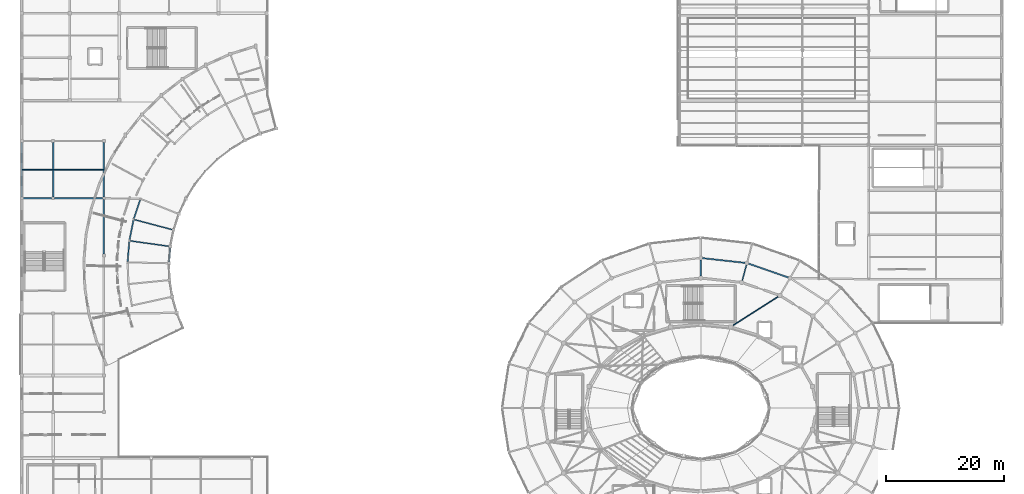
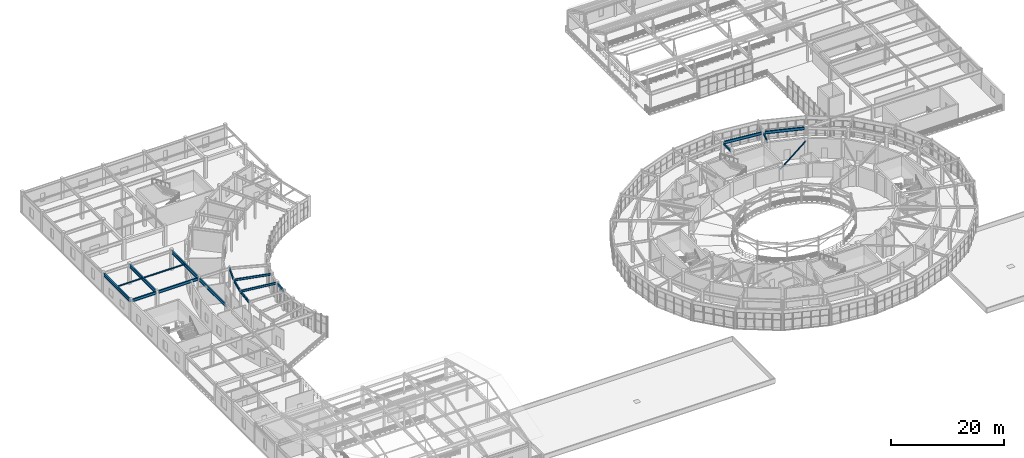
# One storey, part 47 of 112: 18 beams, 1 member.
"""IFC4 building model written with IfcOpenShell, lengths in metres."""

from ifc_helpers import new_model, si_unit, direction, frame, origin, origin_2d, place, context, subcontext, project, spatial, rectangle, hollow_rectangle, i_section, extrude, material, material_profile, profile_set, type_object, element, save


model = new_model("IFC4")

# Units and contexts
model_context = context("Model", 3, precision=1e-05, world=origin(), true_north=direction((0.0, 1.0)))
body_context = subcontext(model_context, "Body", "Model", "MODEL_VIEW")
ifc_project = project(units=[si_unit("LENGTHUNIT", "METRE"), si_unit("AREAUNIT", "SQUARE_METRE"), si_unit("VOLUMEUNIT", "CUBIC_METRE"), si_unit("PLANEANGLEUNIT", "RADIAN"), si_unit("MASSUNIT", "GRAM", prefix="KILO")], contexts=[model_context])

# Site, building, storey
site_placement = place(None, origin())
site = spatial("IfcSite", under=ifc_project, at=site_placement, CompositionType="ELEMENT")
building_placement = place(site_placement, origin())
building = spatial("IfcBuilding", under=site, at=building_placement, Name="Cinderbank Siding Concert Hall", CompositionType="ELEMENT")
storey_placement = place(building_placement, frame((0.0, 0.0, 10.199951171875)))
storey = spatial("IfcBuildingStorey", under=building, at=storey_placement, Name="L03", CompositionType="ELEMENT", Elevation=10.199951171875)

# Beams
ifc_material_1 = material(Name="Structural steel AS/NZS 3679.1 Grade 350 (340 MPa)", Category="steel")
ifc_material_profile_1 = material_profile(ifc_material_1, i_section(OverallWidth=0.18994140625, OverallDepth=0.45751953125, WebThickness=0.009033203125, FlangeThickness=0.014404296875, at=origin_2d()), Name="460UB74.6", Category="LoadBearing")
ifc_profile_set_1 = profile_set([ifc_material_profile_1], Name="Structural steel AS/NZS 3679.1 Grade 350 (340 MPa)")
beam_type_1 = type_object("IfcBeamType", Name="BM-UB460 460UB74.6", PredefinedType="BEAM", material=ifc_profile_set_1)
for number, where, z_axis, x_axis, name in (
    (1, (32.5380859375, 74.198974609375, 4.013427734375), (-0.966824920917, 0.255439958295, 0.0), (-0.255439958295, -0.966824920917, 0.0), "L03 Beam BM-UB460 #1008"),
    (2, (31.96923828125, 71.37744140625, 4.013427734375), (-0.990272481241, 0.139141700783, 0.0), (-0.139141700783, -0.990272481241, 0.0), "L03 Beam BM-UB460 #1011"),
):
    element("IfcBeam", number, at=place(storey_placement, frame(where, z_axis=z_axis, x_axis=x_axis)), inside=storey, type_object=beam_type_1, Name=name, PredefinedType="BEAM", context=body_context, shape_type="SweptSolid", body=[
        extrude(i_section(OverallWidth=0.18994140625, OverallDepth=0.45751953125, WebThickness=0.009033203125, FlangeThickness=0.014404296875, at=origin_2d()), origin(), (0.0, 0.0, 1.0), 6.613037109375),
    ])
ifc_material_profile_2 = material_profile(ifc_material_1, i_section(OverallWidth=0.19091796875, OverallDepth=0.46044921875, WebThickness=0.010009765625, FlangeThickness=0.01611328125, at=origin_2d()), Name="460UB82.1", Category="LoadBearing")
ifc_profile_set_2 = profile_set([ifc_material_profile_2], Name="Structural steel AS/NZS 3679.1 Grade 350 (340 MPa)")
beam_type_2 = type_object("IfcBeamType", Name="BM-UB460H 460UB82.1", PredefinedType="BEAM", material=ifc_profile_set_2)
beam_1_placement = place(storey_placement, frame((129.031494140625, 65.60498046875, 4.011962890625), z_axis=(0.258809477387, 0.9659283899, 0.0), x_axis=(-0.9659283899, 0.258809477387, 0.0)))
element("IfcBeam", 3, at=beam_1_placement, inside=storey, type_object=beam_type_2, Name="L03 Beam BM-UB460H #610", PredefinedType="BEAM", context=body_context, shape_type="SweptSolid", body=[
    extrude(i_section(OverallWidth=0.19091796875, OverallDepth=0.46044921875, WebThickness=0.010009765625, FlangeThickness=0.01611328125, at=origin_2d()), origin(), (0.0, 0.0, 1.0), 2.7158203125),
])
beam_2_placement = place(storey_placement, frame((122.0, 66.366943359375, 4.011962890625), z_axis=(0.0, 1.0, 0.0), x_axis=(-1.0, 0.0, 0.0)))
element("IfcBeam", 4, at=beam_2_placement, inside=storey, type_object=beam_type_2, Name="L03 Beam BM-UB460H #611", PredefinedType="BEAM", context=body_context, shape_type="SweptSolid", body=[
    extrude(i_section(OverallWidth=0.19091796875, OverallDepth=0.46044921875, WebThickness=0.010009765625, FlangeThickness=0.01611328125, at=origin_2d()), origin(), (0.0, 0.0, 1.0), 2.716064453125),
])
ifc_material_profile_3 = material_profile(ifc_material_1, i_section(OverallWidth=0.208984375, OverallDepth=0.5283203125, WebThickness=0.009521484375, FlangeThickness=0.01318359375, at=origin_2d()), Name="530UB82.0", Category="LoadBearing")
ifc_profile_set_3 = profile_set([ifc_material_profile_3], Name="Structural steel AS/NZS 3679.1 Grade 350 (340 MPa)")
beam_type_3 = type_object("IfcBeamType", Name="BM-UB530 530UB82.0", PredefinedType="BEAM", material=ifc_profile_set_3)
beam_3_placement = place(storey_placement, frame((27.139404296875, 79.2978515625, 3.97802734375), z_axis=(-0.312325465538, -0.949975159452, 0.0), x_axis=(0.949975159452, -0.312325465538, 0.0)))
element("IfcBeam", 5, at=beam_3_placement, inside=storey, type_object=beam_type_3, Name="L03 Beam BM-UB530 #1007", PredefinedType="BEAM", context=body_context, shape_type="SweptSolid", body=[
    extrude(i_section(OverallWidth=0.208984375, OverallDepth=0.5283203125, WebThickness=0.009521484375, FlangeThickness=0.01318359375, at=origin_2d()), origin(), (0.0, 0.0, 1.0), 3.43701171875),
])
beam_4_placement = place(storey_placement, frame((26.0048828125, 75.80126953125, 3.97802734375), z_axis=(-0.197673056969, -0.98026800547, 0.0), x_axis=(0.98026800547, -0.197673056969, 0.0)))
element("IfcBeam", 6, at=beam_4_placement, inside=storey, type_object=beam_type_3, Name="L03 Beam BM-UB530 #1010", PredefinedType="BEAM", context=body_context, shape_type="SweptSolid", body=[
    extrude(i_section(OverallWidth=0.208984375, OverallDepth=0.5283203125, WebThickness=0.009521484375, FlangeThickness=0.01318359375, at=origin_2d()), origin(), (0.0, 0.0, 1.0), 3.437255859375),
])
beam_5_placement = place(storey_placement, frame((25.2919921875, 72.19482421875, 3.97802734375), z_axis=(-0.080194099058, -0.996779266677, 0.0), x_axis=(0.996779266677, -0.080194099058, 0.0)))
element("IfcBeam", 7, at=beam_5_placement, inside=storey, type_object=beam_type_3, Name="L03 Beam BM-UB530 #1013", PredefinedType="BEAM", context=body_context, shape_type="SweptSolid", body=[
    extrude(i_section(OverallWidth=0.208984375, OverallDepth=0.5283203125, WebThickness=0.009521484375, FlangeThickness=0.01318359375, at=origin_2d()), origin(), (0.0, 0.0, 1.0), 3.43701171875),
])
ifc_material_profile_4 = material_profile(ifc_material_1, i_section(OverallWidth=0.22802734375, OverallDepth=0.602294921875, WebThickness=0.010498046875, FlangeThickness=0.014892578125, at=origin_2d()), Name="610UB101", Category="LoadBearing")
ifc_profile_set_4 = profile_set([ifc_material_profile_4], Name="Structural steel AS/NZS 3679.1 Grade 350 (340 MPa)")
beam_type_4 = type_object("IfcBeamType", Name="BM-UB610 610UB101", PredefinedType="BEAM", material=ifc_profile_set_4)
beam_6_placement = place(storey_placement, frame((7.342041015625, 79.5, 3.9609375), z_axis=(1.0, 0.0, 0.0), x_axis=(0.0, 1.0, 0.0)))
element("IfcBeam", 8, at=beam_6_placement, inside=storey, type_object=beam_type_4, Name="L03 Beam BM-UB610 #1806", PredefinedType="BEAM", context=body_context, shape_type="SweptSolid", body=[
    extrude(i_section(OverallWidth=0.22802734375, OverallDepth=0.602294921875, WebThickness=0.010498046875, FlangeThickness=0.014892578125, at=origin_2d()), origin(), (0.0, 0.0, 1.0), 4.81591796875),
])
beam_7_placement = place(storey_placement, frame((12.64208984375, 79.5, 3.94091796875), z_axis=(1.0, 0.0, 0.0), x_axis=(0.0, 1.0, 0.0)))
element("IfcBeam", 9, at=beam_7_placement, inside=storey, type_object=beam_type_4, Name="L03 Beam BM-UB610 #1815", PredefinedType="BEAM", context=body_context, shape_type="SweptSolid", body=[
    extrude(i_section(OverallWidth=0.22802734375, OverallDepth=0.602294921875, WebThickness=0.010498046875, FlangeThickness=0.014892578125, at=origin_2d()), origin(), (0.0, 0.0, 1.0), 8.115966796875),
])
ifc_material_profile_5 = material_profile(ifc_material_1, i_section(OverallWidth=0.22802734375, OverallDepth=0.60693359375, WebThickness=0.01123046875, FlangeThickness=0.017333984375, at=origin_2d()), Name="610UB113", Category="LoadBearing")
ifc_profile_set_5 = profile_set([ifc_material_profile_5], Name="Structural steel AS/NZS 3679.1 Grade 350 (340 MPa)")
beam_type_5 = type_object("IfcBeamType", Name="BM-UB610M 610UB113", PredefinedType="BEAM", material=ifc_profile_set_5)
beam_8_placement = place(storey_placement, frame((136.800537109375, 66.101318359375, 3.9384765625), z_axis=(-0.944334299593, 0.328987432301, 0.0), x_axis=(-0.328987432301, -0.944334299593, 0.0)))
element("IfcBeam", 10, at=beam_8_placement, inside=storey, type_object=beam_type_5, Name="L03 Beam BM-UB610M #549", PredefinedType="BEAM", context=body_context, shape_type="SweptSolid", body=[
    extrude(i_section(OverallWidth=0.22802734375, OverallDepth=0.60693359375, WebThickness=0.01123046875, FlangeThickness=0.017333984375, at=origin_2d()), origin(), (0.0, 0.0, 1.0), 7.078857421875),
])
beam_9_placement = place(storey_placement, frame((129.501220703125, 68.5693359375, 3.9384765625), z_axis=(-0.993926077211, 0.110049775281, 0.0), x_axis=(-0.110049775281, -0.993926077211, 0.0)))
element("IfcBeam", 11, at=beam_9_placement, inside=storey, type_object=beam_type_5, Name="L03 Beam BM-UB610M #550", PredefinedType="BEAM", context=body_context, shape_type="SweptSolid", body=[
    extrude(i_section(OverallWidth=0.22802734375, OverallDepth=0.60693359375, WebThickness=0.01123046875, FlangeThickness=0.017333984375, at=origin_2d()), origin(), (0.0, 0.0, 1.0), 7.22998046875),
])
ifc_material_2 = material(Name="Structural steel welded plate section AS/NZS 3679.2 / AS/NZS 3678 Grade 350 (340 MPa)", Category="steel")
ifc_material_profile_6 = material_profile(ifc_material_2, i_section(OverallWidth=0.25, OverallDepth=0.699951171875, WebThickness=0.010009765625, FlangeThickness=0.01611328125, at=origin_2d()), Name="700WB130", Category="LoadBearing")
ifc_profile_set_6 = profile_set([ifc_material_profile_6], Name="Structural steel welded plate section AS/NZS 3679.2 / AS/NZS 3678 Grade 350 (340 MPa)")
beam_type_6 = type_object("IfcBeamType", Name="BM-WB700 700WB130", PredefinedType="BEAM", material=ifc_profile_set_6)
for number, where, z_axis, x_axis, name in (
    (12, (7.10009765625, 79.741943359375, 3.912109375), (0.0, 1.0, 0.0), (-1.0, 0.0, 0.0), "L03 Beam BM-WB700 #1807"),
    (13, (12.39990234375, 79.741943359375, 3.912109375), (0.0, 1.0, 0.0), (-1.0, 0.0, 0.0), "L03 Beam BM-WB700 #1816"),
    (14, (21.0, 70.0419921875, 3.89208984375), (0.0, 1.0, 0.0), (-1.0, 0.0, 0.0), "L03 Beam BM-WB700 #1822"),
    (15, (21.0, 79.741943359375, 3.89208984375), (0.0, 1.0, 0.0), (-1.0, 0.0, 0.0), "L03 Beam BM-WB700 #1824"),
):
    element("IfcBeam", number, at=place(storey_placement, frame(where, z_axis=z_axis, x_axis=x_axis)), inside=storey, type_object=beam_type_6, Name=name, PredefinedType="BEAM", context=body_context, shape_type="SweptSolid", body=[
        extrude(i_section(OverallWidth=0.25, OverallDepth=0.699951171875, WebThickness=0.010009765625, FlangeThickness=0.01611328125, at=origin_2d()), origin(), (0.0, 0.0, 1.0), 9.216064453125),
    ])
ifc_material_profile_7 = material_profile(ifc_material_1, i_section(OverallWidth=0.14599609375, OverallDepth=0.251708984375, WebThickness=0.006103515625, FlangeThickness=0.008544921875, at=origin_2d()), Name="250UB31.4", Category="LoadBearing")
ifc_profile_set_7 = profile_set([ifc_material_profile_7], Name="Structural steel AS/NZS 3679.1 Grade 350 (340 MPa)")
beam_type_7 = type_object("IfcBeamType", Name="JS-UB250 250UB31.4", PredefinedType="JOIST", material=ifc_profile_set_7)
beam_10_placement = place(storey_placement, frame((7.217041015625, 84.35009765625, 4.13623046875), z_axis=(1.0, 0.0, 0.0), x_axis=(0.0, 1.0, 0.0)))
element("IfcBeam", 16, at=beam_10_placement, inside=storey, type_object=beam_type_7, Name="L03 Beam JS-UB250 #1847", PredefinedType="JOIST", context=body_context, shape_type="SweptSolid", body=[
    extrude(i_section(OverallWidth=0.14599609375, OverallDepth=0.251708984375, WebThickness=0.006103515625, FlangeThickness=0.008544921875, at=origin_2d()), origin(), (0.0, 0.0, 1.0), 5.06591796875),
])
beam_11_placement = place(storey_placement, frame((12.51708984375, 84.35009765625, 4.13623046875), z_axis=(1.0, 0.0, 0.0), x_axis=(0.0, 1.0, 0.0)))
element("IfcBeam", 17, at=beam_11_placement, inside=storey, type_object=beam_type_7, Name="L03 Beam JS-UB250 #1850", PredefinedType="JOIST", context=body_context, shape_type="SweptSolid", body=[
    extrude(i_section(OverallWidth=0.14599609375, OverallDepth=0.251708984375, WebThickness=0.006103515625, FlangeThickness=0.008544921875, at=origin_2d()), origin(), (0.0, 0.0, 1.0), 8.365966796875),
])
ifc_material_3 = material(Name="Spotted gum glulam timber GL18 (42 MPa)", Category="wood")
ifc_material_profile_8 = material_profile(ifc_material_3, rectangle(XDim=0.215087890625, YDim=0.52001953125, at=origin_2d()), Name="GL18-215x520", Category="LoadBearing")
ifc_profile_set_8 = profile_set([ifc_material_profile_8], Name="Spotted gum glulam timber GL18 (42 MPa)")
beam_type_8 = type_object("IfcBeamType", Name="SP-GL520 GL18-215x520", PredefinedType="SPANDREL", material=ifc_profile_set_8)
beam_12_placement = place(storey_placement, frame((32.212158203125, 71.07421875, 3.98193359375), z_axis=(-0.08022349307, -0.996776901398, 0.0), x_axis=(0.996776901398, -0.08022349307, 0.0)))
element("IfcBeam", 18, at=beam_12_placement, inside=storey, type_object=beam_type_8, Name="L03 Beam SP-GL520 #1012", PredefinedType="SPANDREL", context=body_context, shape_type="SweptSolid", body=[
    extrude(rectangle(XDim=0.215087890625, YDim=0.52001953125, at=origin_2d()), origin(), (0.0, 0.0, 1.0), 2.31298828125),
])

# Member
ifc_material_4 = material(Name="Structural steel hollow section AS/NZS 1163 Grade C350L0 (350 MPa)", Category="steel")
ifc_material_profile_9 = material_profile(ifc_material_4, hollow_rectangle(XDim=0.14990234375, YDim=0.25, WallThickness=0.009033203125, at=origin_2d()), Name="250x150x9.0RHS", Category="LoadBearing")
ifc_profile_set_9 = profile_set([ifc_material_profile_9], Name="Structural steel hollow section AS/NZS 1163 Grade C350L0 (350 MPa)")
member_type = type_object("IfcMemberType", Name="TR-RHS250 250x150x9.0RHS Roof Truss", PredefinedType="RAFTER", material=ifc_profile_set_9)
member_placement = place(storey_placement, frame((127.072998046875, 57.716064453125, 3.60009765625), z_axis=(0.841940386591, 0.539570556487, 0.0), x_axis=(-0.539570556487, 0.841940386591, 0.0)))
element("IfcMember", 19, at=member_placement, inside=storey, type_object=member_type, Name="L03 Roof Truss Member TR-RHS250 #2242", PredefinedType="RAFTER", context=body_context, shape_type="SweptSolid", body=[
    extrude(hollow_rectangle(XDim=0.14990234375, YDim=0.25, WallThickness=0.009033203125, at=origin_2d()), origin(), (0.0, 0.0, 1.0), 9.89013671875),
])

save(model, "model.ifc")
